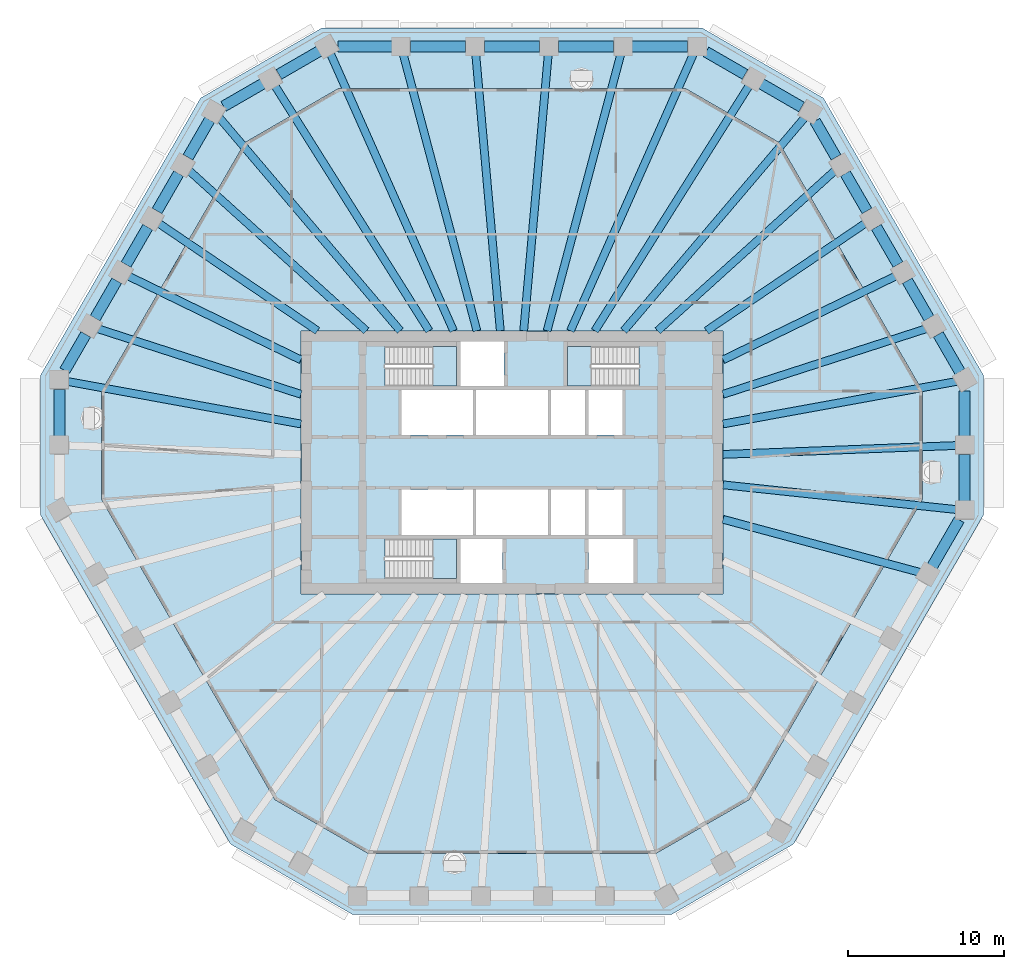
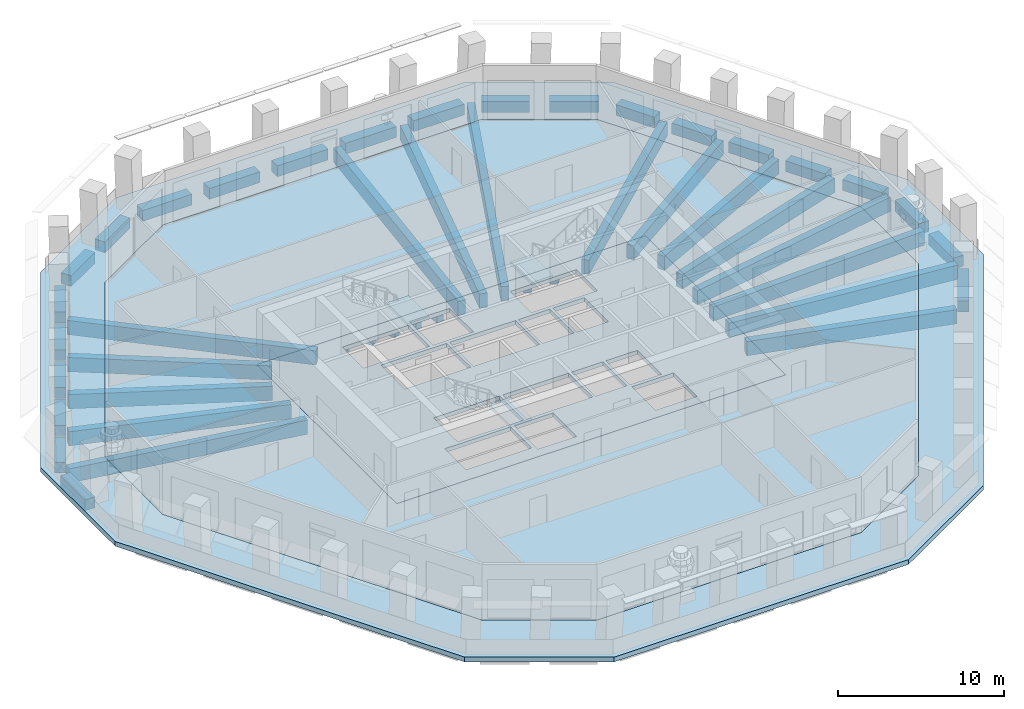
# One storey, part 2 of 12: 46 beams, 6 slabs, 3 elements without a shape of their own.
"""IFC4 building model written with IfcOpenShell, lengths in metres."""

from ifc_helpers import new_model, si_unit, direction, frame, origin, origin_2d, place, context, subcontext, project, spatial, polyline, rectangle, outline, extrude, material, layer, layer_set, material_profile, profile_set, type_object, element, aggregate, save


model = new_model("IFC4")

# Units and contexts
model_context = context("Model", 3, precision=1e-05, world=origin(), true_north=direction((0.0, 1.0)))
body_context = subcontext(model_context, "Body", "Model", "MODEL_VIEW")
ifc_project = project(units=[si_unit("LENGTHUNIT", "METRE"), si_unit("AREAUNIT", "SQUARE_METRE"), si_unit("VOLUMEUNIT", "CUBIC_METRE"), si_unit("PLANEANGLEUNIT", "RADIAN"), si_unit("MASSUNIT", "GRAM", prefix="KILO")], contexts=[model_context])

# Site, building, storey
site_placement = place(None, origin())
site = spatial("IfcSite", under=ifc_project, at=site_placement, CompositionType="ELEMENT")
building_placement = place(site_placement, origin())
building = spatial("IfcBuilding", under=site, at=building_placement, Name="Frailejon Research Tower", CompositionType="ELEMENT")
storey_placement = place(building_placement, frame((0.0, 0.0, 180.39990234375)))
storey = spatial("IfcBuildingStorey", under=building, at=storey_placement, Name="L39", CompositionType="ELEMENT", Elevation=180.39990234375)

# Beams
ifc_material_1 = material(Name="Concrete C60/75", Category="concrete")
ifc_material_profile_1 = material_profile(ifc_material_1, rectangle(XDim=0.5, YDim=1.050048828125, at=origin_2d()), Name="Girder 500x1050")
ifc_profile_set_1 = profile_set([ifc_material_profile_1], Name="Concrete C60/75")
beam_type_1 = type_object("IfcBeamType", Name="Girder 500x1050", PredefinedType="BEAM", material=ifc_profile_set_1)
beam_1_placement = place(storey_placement, frame((28.6005859375, -3.03369140625, -0.824951171875), z_axis=(-0.994421431124, 0.105479938004, 0.0), x_axis=(-0.105479938004, -0.994421431124, 0.0)))
element("IfcBeam", 1, at=beam_1_placement, inside=storey, type_object=beam_type_1, Name="Girder 500x1050", PredefinedType="BEAM", context=body_context, shape_type="SweptSolid", body=[
    extrude(rectangle(XDim=0.5, YDim=1.050048828125, at=origin_2d()), origin(), (0.0, 0.0, 1.0), 15.135009765625),
])
beam_2_placement = place(storey_placement, frame((28.601318359375, 1.089111328125, -0.824951171875), z_axis=(-0.999275517549, -0.038058376565, 0.0), x_axis=(0.038058376565, -0.999275517549, 0.0)))
element("IfcBeam", 2, at=beam_2_placement, inside=storey, type_object=beam_type_1, Name="Girder 500x1050", PredefinedType="BEAM", context=body_context, shape_type="SweptSolid", body=[
    extrude(rectangle(XDim=0.5, YDim=1.050048828125, at=origin_2d()), origin(), (0.0, 0.0, 1.0), 15.062255859375),
])
beam_3_placement = place(storey_placement, frame((28.572265625, 5.20654296875, -0.824951171875), z_axis=(-0.983797945667, -0.179280791223, 0.0), x_axis=(0.179280791223, -0.983797945667, 0.0)))
element("IfcBeam", 3, at=beam_3_placement, inside=storey, type_object=beam_type_1, Name="Girder 500x1050", PredefinedType="BEAM", context=body_context, shape_type="SweptSolid", body=[
    extrude(rectangle(XDim=0.5, YDim=1.050048828125, at=origin_2d()), origin(), (0.0, 0.0, 1.0), 15.26953125),
])
beam_4_placement = place(storey_placement, frame((26.6220703125, 8.594970703125, -0.824951171875), z_axis=(-0.951635554478, -0.307229183922, 0.0), x_axis=(0.307229183922, -0.951635554478, 0.0)))
element("IfcBeam", 4, at=beam_4_placement, inside=storey, type_object=beam_type_1, Name="Girder 500x1050", PredefinedType="BEAM", context=body_context, shape_type="SweptSolid", body=[
    extrude(rectangle(XDim=0.5, YDim=1.050048828125, at=origin_2d()), origin(), (0.0, 0.0, 1.0), 13.736328125),
])
beam_5_placement = place(storey_placement, frame((24.6689453125, 11.98388671875, -0.824951171875), z_axis=(-0.899483984712, -0.436953728954, 0.0), x_axis=(0.436953728954, -0.899483984712, 0.0)))
element("IfcBeam", 5, at=beam_5_placement, inside=storey, type_object=beam_type_1, Name="Girder 500x1050", PredefinedType="BEAM", context=body_context, shape_type="SweptSolid", body=[
    extrude(rectangle(XDim=0.5, YDim=1.050048828125, at=origin_2d()), origin(), (0.0, 0.0, 1.0), 12.361328125),
])
beam_6_placement = place(storey_placement, frame((22.712890625, 15.371826171875, -0.824951171875), z_axis=(-0.828161424278, -0.560489656763, 0.0), x_axis=(0.560489656763, -0.828161424278, 0.0)))
element("IfcBeam", 6, at=beam_6_placement, inside=storey, type_object=beam_type_1, Name="Girder 500x1050", PredefinedType="BEAM", context=body_context, shape_type="SweptSolid", body=[
    extrude(rectangle(XDim=0.5, YDim=1.050048828125, at=origin_2d()), origin(), (0.0, 0.0, 1.0), 12.349609375),
])
beam_7_placement = place(storey_placement, frame((20.75439453125, 18.7578125, -0.824951171875), z_axis=(-0.741883703794, -0.670528575114, 0.0), x_axis=(0.670528575114, -0.741883703794, 0.0)))
element("IfcBeam", 7, at=beam_7_placement, inside=storey, type_object=beam_type_1, Name="Girder 500x1050", PredefinedType="BEAM", context=body_context, shape_type="SweptSolid", body=[
    extrude(rectangle(XDim=0.5, YDim=1.050048828125, at=origin_2d()), origin(), (0.0, 0.0, 1.0), 15.372802734375),
])
beam_8_placement = place(storey_placement, frame((18.812744140625, 22.161865234375, -0.824951171875), z_axis=(-0.647148667235, -0.762363825543, 0.0), x_axis=(0.762363825543, -0.647148667235, 0.0)))
element("IfcBeam", 8, at=beam_8_placement, inside=storey, type_object=beam_type_1, Name="Girder 500x1050", PredefinedType="BEAM", context=body_context, shape_type="SweptSolid", body=[
    extrude(rectangle(XDim=0.5, YDim=1.050048828125, at=origin_2d()), origin(), (0.0, 0.0, 1.0), 17.986083984375),
])
beam_9_placement = place(storey_placement, frame((15.243896484375, 24.22509765625, -0.824951171875), z_axis=(-0.532592645489, -0.846371711467, 0.0), x_axis=(0.846371711467, -0.532592645489, 0.0)))
element("IfcBeam", 9, at=beam_9_placement, inside=storey, type_object=beam_type_1, Name="Girder 500x1050", PredefinedType="BEAM", context=body_context, shape_type="SweptSolid", body=[
    extrude(rectangle(XDim=0.5, YDim=1.050048828125, at=origin_2d()), origin(), (0.0, 0.0, 1.0), 18.638671875),
])
beam_10_placement = place(storey_placement, frame((11.651611328125, 26.237060546875, -0.824951171875), z_axis=(-0.405861436059, -0.913934622782, 0.0), x_axis=(0.913934622782, -0.405861436059, 0.0)))
element("IfcBeam", 10, at=beam_10_placement, inside=storey, type_object=beam_type_1, Name="Girder 500x1050", PredefinedType="BEAM", context=body_context, shape_type="SweptSolid", body=[
    extrude(rectangle(XDim=0.5, YDim=1.050048828125, at=origin_2d()), origin(), (0.0, 0.0, 1.0), 19.462158203125),
])
beam_11_placement = place(storey_placement, frame((6.992919921875, 26.244873046875, -0.824951171875), z_axis=(-0.257467088585, -0.966287068265, 0.0), x_axis=(0.966287068265, -0.257467088585, 0.0)))
element("IfcBeam", 11, at=beam_11_placement, inside=storey, type_object=beam_type_1, Name="Girder 500x1050", PredefinedType="BEAM", context=body_context, shape_type="SweptSolid", body=[
    extrude(rectangle(XDim=0.5, YDim=1.050048828125, at=origin_2d()), origin(), (0.0, 0.0, 1.0), 18.415771484375),
])
for number, where, z_axis, x_axis, name in (
    (12, (2.331298828125, 26.24951171875, -0.824951171875), (-0.088463579533, -0.996079412043, 0.0), (0.996079412043, -0.088463579533, 0.0), "Girder 500x1050"),
    (13, (-2.331298828125, 26.24951171875, -0.824951171875), (0.088463579533, -0.996079412043, 0.0), (0.996079412043, 0.088463579533, 0.0), "Girder 500x1050"),
):
    element("IfcBeam", number, at=place(storey_placement, frame(where, z_axis=z_axis, x_axis=x_axis)), inside=storey, type_object=beam_type_1, Name=name, PredefinedType="BEAM", context=body_context, shape_type="SweptSolid", body=[
        extrude(rectangle(XDim=0.5, YDim=1.050048828125, at=origin_2d()), origin(), (0.0, 0.0, 1.0), 17.86962890625),
    ])
beam_12_placement = place(storey_placement, frame((-6.992919921875, 26.244873046875, -0.824951171875), z_axis=(0.257467088585, -0.966287068265, 0.0), x_axis=(0.966287068265, 0.257467088585, 0.0)))
element("IfcBeam", 14, at=beam_12_placement, inside=storey, type_object=beam_type_1, Name="Girder 500x1050", PredefinedType="BEAM", context=body_context, shape_type="SweptSolid", body=[
    extrude(rectangle(XDim=0.5, YDim=1.050048828125, at=origin_2d()), origin(), (0.0, 0.0, 1.0), 18.415771484375),
])
beam_13_placement = place(storey_placement, frame((-11.673095703125, 26.28564453125, -0.824951171875), z_axis=(0.405857546601, -0.913936350008, 0.0), x_axis=(0.913936350008, 0.405857546601, 0.0)))
element("IfcBeam", 15, at=beam_13_placement, inside=storey, type_object=beam_type_1, Name="Girder 500x1050", PredefinedType="BEAM", context=body_context, shape_type="SweptSolid", body=[
    extrude(rectangle(XDim=0.5, YDim=1.050048828125, at=origin_2d()), origin(), (0.0, 0.0, 1.0), 19.51513671875),
])
beam_14_placement = place(storey_placement, frame((-15.243896484375, 24.22509765625, -0.824951171875), z_axis=(0.532592645489, -0.846371711467, 0.0), x_axis=(0.846371711467, 0.532592645489, 0.0)))
element("IfcBeam", 16, at=beam_14_placement, inside=storey, type_object=beam_type_1, Name="Girder 500x1050", PredefinedType="BEAM", context=body_context, shape_type="SweptSolid", body=[
    extrude(rectangle(XDim=0.5, YDim=1.050048828125, at=origin_2d()), origin(), (0.0, 0.0, 1.0), 18.638671875),
])
beam_15_placement = place(storey_placement, frame((-18.794921875, 22.14111328125, -0.824951171875), z_axis=(0.647141983231, -0.762369499351, 0.0), x_axis=(0.762369499351, 0.647141983231, 0.0)))
element("IfcBeam", 17, at=beam_15_placement, inside=storey, type_object=beam_type_1, Name="Girder 500x1050", PredefinedType="BEAM", context=body_context, shape_type="SweptSolid", body=[
    extrude(rectangle(XDim=0.5, YDim=1.050048828125, at=origin_2d()), origin(), (0.0, 0.0, 1.0), 17.958740234375),
])
beam_16_placement = place(storey_placement, frame((-20.75439453125, 18.7578125, -0.824951171875), z_axis=(0.741883703794, -0.670528575114, 0.0), x_axis=(0.670528575114, 0.741883703794, 0.0)))
element("IfcBeam", 18, at=beam_16_placement, inside=storey, type_object=beam_type_1, Name="Girder 500x1050", PredefinedType="BEAM", context=body_context, shape_type="SweptSolid", body=[
    extrude(rectangle(XDim=0.5, YDim=1.050048828125, at=origin_2d()), origin(), (0.0, 0.0, 1.0), 15.372802734375),
])
beam_17_placement = place(storey_placement, frame((-22.712890625, 15.371826171875, -0.824951171875), z_axis=(0.828161424278, -0.560489656763, 0.0), x_axis=(0.560489656763, 0.828161424278, 0.0)))
element("IfcBeam", 19, at=beam_17_placement, inside=storey, type_object=beam_type_1, Name="Girder 500x1050", PredefinedType="BEAM", context=body_context, shape_type="SweptSolid", body=[
    extrude(rectangle(XDim=0.5, YDim=1.050048828125, at=origin_2d()), origin(), (0.0, 0.0, 1.0), 12.349609375),
])
beam_18_placement = place(storey_placement, frame((-24.6689453125, 11.98388671875, -0.824951171875), z_axis=(0.899483984712, -0.436953728954, 0.0), x_axis=(0.436953728954, 0.899483984712, 0.0)))
element("IfcBeam", 20, at=beam_18_placement, inside=storey, type_object=beam_type_1, Name="Girder 500x1050", PredefinedType="BEAM", context=body_context, shape_type="SweptSolid", body=[
    extrude(rectangle(XDim=0.5, YDim=1.050048828125, at=origin_2d()), origin(), (0.0, 0.0, 1.0), 12.361328125),
])
beam_19_placement = place(storey_placement, frame((-26.6220703125, 8.594970703125, -0.824951171875), z_axis=(0.951635554478, -0.307229183922, 0.0), x_axis=(0.307229183922, 0.951635554478, 0.0)))
element("IfcBeam", 21, at=beam_19_placement, inside=storey, type_object=beam_type_1, Name="Girder 500x1050", PredefinedType="BEAM", context=body_context, shape_type="SweptSolid", body=[
    extrude(rectangle(XDim=0.5, YDim=1.050048828125, at=origin_2d()), origin(), (0.0, 0.0, 1.0), 13.736328125),
])
beam_20_placement = place(storey_placement, frame((-28.59912109375, 5.21142578125, -0.824951171875), z_axis=(0.983798074221, -0.179280085783, 0.0), x_axis=(0.179280085783, 0.983798074221, 0.0)))
element("IfcBeam", 22, at=beam_20_placement, inside=storey, type_object=beam_type_1, Name="Girder 500x1050", PredefinedType="BEAM", context=body_context, shape_type="SweptSolid", body=[
    extrude(rectangle(XDim=0.5, YDim=1.050048828125, at=origin_2d()), origin(), (0.0, 0.0, 1.0), 15.296875),
])
beam_21_placement = place(storey_placement, frame((26.225341796875, -7.06640625, -0.824951171875), z_axis=(-0.965559352483, 0.260182891121, 0.0), x_axis=(-0.260182891121, -0.965559352483, 0.0)))
element("IfcBeam", 23, at=beam_21_placement, inside=storey, type_object=beam_type_1, Name="Girder 500x1050", PredefinedType="BEAM", context=body_context, shape_type="SweptSolid", body=[
    extrude(rectangle(XDim=0.5, YDim=1.050048828125, at=origin_2d()), origin(), (0.0, 0.0, 1.0), 13.12744140625),
])
ifc_material_2 = material(Name="Concrete C60/75", Category="concrete")
ifc_material_profile_2 = material_profile(ifc_material_2, rectangle(XDim=0.699951171875, YDim=0.800048828125, at=origin_2d()), Name="Spandrel 700x800")
ifc_profile_set_2 = profile_set([ifc_material_profile_2], Name="Concrete C60/75")
beam_type_2 = type_object("IfcBeamType", Name="Spandrel 700x800", PredefinedType="BEAM", material=ifc_profile_set_2)
beam_22_placement = place(storey_placement, frame((29.051513671875, -2.4814453125, -0.75), z_axis=(0.0, 1.0, 0.0), x_axis=(-1.0, 0.0, 0.0)))
element("IfcBeam", 24, at=beam_22_placement, inside=storey, type_object=beam_type_2, Name="Spandrel 700x800", PredefinedType="BEAM", context=body_context, shape_type="SweptSolid", body=[
    extrude(rectangle(XDim=0.699951171875, YDim=0.800048828125, at=origin_2d()), origin(), (0.0, 0.0, 1.0), 2.987548828125),
])
beam_23_placement = place(storey_placement, frame((29.051513671875, 1.706298828125, -0.75), z_axis=(0.0, 1.0, 0.0), x_axis=(-1.0, 0.0, 0.0)))
element("IfcBeam", 25, at=beam_23_placement, inside=storey, type_object=beam_type_2, Name="Spandrel 700x800", PredefinedType="BEAM", context=body_context, shape_type="SweptSolid", body=[
    extrude(rectangle(XDim=0.699951171875, YDim=0.800048828125, at=origin_2d()), origin(), (0.0, 0.0, 1.0), 2.894775390625),
])
for number, where, z_axis, x_axis, name in (
    (26, (28.75146484375, 5.8134765625, -0.75), (-0.499978711542, 0.866037694333, 0.0), (-0.866037694333, -0.499978711542, 0.0), "Spandrel 700x800"),
    (27, (26.76318359375, 9.257080078125, -0.75), (-0.499978711542, 0.866037694333, 0.0), (-0.866037694333, -0.499978711542, 0.0), "Spandrel 700x800"),
):
    element("IfcBeam", number, at=place(storey_placement, frame(where, z_axis=z_axis, x_axis=x_axis)), inside=storey, type_object=beam_type_2, Name=name, PredefinedType="BEAM", context=body_context, shape_type="SweptSolid", body=[
        extrude(rectangle(XDim=0.699951171875, YDim=0.800048828125, at=origin_2d()), origin(), (0.0, 0.0, 1.0), 2.7763671875),
    ])
for number, where, z_axis, x_axis, name in (
    (28, (24.77490234375, 12.70068359375, -0.75), (-0.499940639567, 0.866059672834, 0.0), (-0.866059672834, -0.499940639567, 0.0), "Spandrel 700x800"),
    (29, (22.786865234375, 16.14453125, -0.75), (-0.500044657716, 0.865999619105, 0.0), (-0.865999619105, -0.500044657716, 0.0), "Spandrel 700x800"),
):
    element("IfcBeam", number, at=place(storey_placement, frame(where, z_axis=z_axis, x_axis=x_axis)), inside=storey, type_object=beam_type_2, Name=name, PredefinedType="BEAM", context=body_context, shape_type="SweptSolid", body=[
        extrude(rectangle(XDim=0.699951171875, YDim=0.800048828125, at=origin_2d()), origin(), (0.0, 0.0, 1.0), 2.776611328125),
    ])
beam_24_placement = place(storey_placement, frame((20.798583984375, 19.58837890625, -0.75), z_axis=(-0.500013836808, 0.866017414952, 0.0), x_axis=(-0.866017414952, -0.500013836808, 0.0)))
element("IfcBeam", 30, at=beam_24_placement, inside=storey, type_object=beam_type_2, Name="Spandrel 700x800", PredefinedType="BEAM", context=body_context, shape_type="SweptSolid", body=[
    extrude(rectangle(XDim=0.699951171875, YDim=0.800048828125, at=origin_2d()), origin(), (0.0, 0.0, 1.0), 2.68359375),
])
beam_25_placement = place(storey_placement, frame((18.5908203125, 22.8125, -0.75), z_axis=(-0.866052229876, 0.499953532967, 0.0), x_axis=(-0.499953532967, -0.866052229876, 0.0)))
element("IfcBeam", 31, at=beam_25_placement, inside=storey, type_object=beam_type_2, Name="Spandrel 700x800", PredefinedType="BEAM", context=body_context, shape_type="SweptSolid", body=[
    extrude(rectangle(XDim=0.699951171875, YDim=0.800048828125, at=origin_2d()), origin(), (0.0, 0.0, 1.0), 2.987548828125),
])
beam_26_placement = place(storey_placement, frame((14.964111328125, 24.90625, -0.75), z_axis=(-0.866033897268, 0.499985288567, 0.0), x_axis=(-0.499985288567, -0.866033897268, 0.0)))
element("IfcBeam", 32, at=beam_26_placement, inside=storey, type_object=beam_type_2, Name="Spandrel 700x800", PredefinedType="BEAM", context=body_context, shape_type="SweptSolid", body=[
    extrude(rectangle(XDim=0.699951171875, YDim=0.800048828125, at=origin_2d()), origin(), (0.0, 0.0, 1.0), 2.89453125),
])
beam_27_placement = place(storey_placement, frame((11.257080078125, 26.699951171875, -0.75), z_axis=(-1.0, 0.0, 0.0), x_axis=(0.0, -1.0, 0.0)))
element("IfcBeam", 33, at=beam_27_placement, inside=storey, type_object=beam_type_2, Name="Spandrel 700x800", PredefinedType="BEAM", context=body_context, shape_type="SweptSolid", body=[
    extrude(rectangle(XDim=0.699951171875, YDim=0.800048828125, at=origin_2d()), origin(), (0.0, 0.0, 1.0), 3.542724609375),
])
for number, where, z_axis, x_axis, name in (
    (34, (6.514404296875, 26.699951171875, -0.75), (-1.0, 0.0, 0.0), (0.0, -1.0, 0.0), "Spandrel 700x800"),
    (35, (1.771484375, 26.699951171875, -0.75), (-1.0, 0.0, 0.0), (0.0, -1.0, 0.0), "Spandrel 700x800"),
    (36, (-2.971435546875, 26.699951171875, -0.75), (-1.0, 0.0, 0.0), (0.0, -1.0, 0.0), "Spandrel 700x800"),
):
    element("IfcBeam", number, at=place(storey_placement, frame(where, z_axis=z_axis, x_axis=x_axis)), inside=storey, type_object=beam_type_2, Name=name, PredefinedType="BEAM", context=body_context, shape_type="SweptSolid", body=[
        extrude(rectangle(XDim=0.699951171875, YDim=0.800048828125, at=origin_2d()), origin(), (0.0, 0.0, 1.0), 3.54296875),
    ])
beam_28_placement = place(storey_placement, frame((-7.71435546875, 26.699951171875, -0.75), z_axis=(-1.0, 0.0, 0.0), x_axis=(0.0, -1.0, 0.0)))
element("IfcBeam", 37, at=beam_28_placement, inside=storey, type_object=beam_type_2, Name="Spandrel 700x800", PredefinedType="BEAM", context=body_context, shape_type="SweptSolid", body=[
    extrude(rectangle(XDim=0.699951171875, YDim=0.800048828125, at=origin_2d()), origin(), (0.0, 0.0, 1.0), 3.449951171875),
])
beam_29_placement = place(storey_placement, frame((-12.376708984375, 26.39990234375, -0.75), z_axis=(-0.866052229876, -0.499953532967, 0.0), x_axis=(0.499953532967, -0.866052229876, 0.0)))
element("IfcBeam", 38, at=beam_29_placement, inside=storey, type_object=beam_type_2, Name="Spandrel 700x800", PredefinedType="BEAM", context=body_context, shape_type="SweptSolid", body=[
    extrude(rectangle(XDim=0.699951171875, YDim=0.800048828125, at=origin_2d()), origin(), (0.0, 0.0, 1.0), 2.987548828125),
])
beam_30_placement = place(storey_placement, frame((-16.00341796875, 24.30615234375, -0.75), z_axis=(-0.866033897268, -0.499985288567, 0.0), x_axis=(0.499985288567, -0.866033897268, 0.0)))
element("IfcBeam", 39, at=beam_30_placement, inside=storey, type_object=beam_type_2, Name="Spandrel 700x800", PredefinedType="BEAM", context=body_context, shape_type="SweptSolid", body=[
    extrude(rectangle(XDim=0.699951171875, YDim=0.800048828125, at=origin_2d()), origin(), (0.0, 0.0, 1.0), 2.89453125),
])
beam_31_placement = place(storey_placement, frame((-19.410400390625, 21.992919921875, -0.75), z_axis=(-0.499978711542, -0.866037694333, 0.0), x_axis=(0.866037694333, -0.499978711542, 0.0)))
element("IfcBeam", 40, at=beam_31_placement, inside=storey, type_object=beam_type_2, Name="Spandrel 700x800", PredefinedType="BEAM", context=body_context, shape_type="SweptSolid", body=[
    extrude(rectangle(XDim=0.699951171875, YDim=0.800048828125, at=origin_2d()), origin(), (0.0, 0.0, 1.0), 2.7763671875),
])
for number, where, z_axis, x_axis, name in (
    (41, (-21.3984375, 18.549072265625, -0.75), (-0.500044657716, -0.865999619105, 0.0), (0.865999619105, -0.500044657716, 0.0), "Spandrel 700x800"),
    (42, (-23.38671875, 15.10546875, -0.75), (-0.499940639567, -0.866059672834, 0.0), (0.866059672834, -0.499940639567, 0.0), "Spandrel 700x800"),
):
    element("IfcBeam", number, at=place(storey_placement, frame(where, z_axis=z_axis, x_axis=x_axis)), inside=storey, type_object=beam_type_2, Name=name, PredefinedType="BEAM", context=body_context, shape_type="SweptSolid", body=[
        extrude(rectangle(XDim=0.699951171875, YDim=0.800048828125, at=origin_2d()), origin(), (0.0, 0.0, 1.0), 2.776611328125),
    ])
beam_32_placement = place(storey_placement, frame((-25.375, 11.66162109375, -0.75), z_axis=(-0.499978711542, -0.866037694333, 0.0), x_axis=(0.866037694333, -0.499978711542, 0.0)))
element("IfcBeam", 43, at=beam_32_placement, inside=storey, type_object=beam_type_2, Name="Spandrel 700x800", PredefinedType="BEAM", context=body_context, shape_type="SweptSolid", body=[
    extrude(rectangle(XDim=0.699951171875, YDim=0.800048828125, at=origin_2d()), origin(), (0.0, 0.0, 1.0), 2.7763671875),
])
beam_33_placement = place(storey_placement, frame((-27.36328125, 8.218017578125, -0.75), z_axis=(-0.499974444137, -0.866040157966, 0.0), x_axis=(0.866040157966, -0.499974444137, 0.0)))
element("IfcBeam", 44, at=beam_33_placement, inside=storey, type_object=beam_type_2, Name="Spandrel 700x800", PredefinedType="BEAM", context=body_context, shape_type="SweptSolid", body=[
    extrude(rectangle(XDim=0.699951171875, YDim=0.800048828125, at=origin_2d()), origin(), (0.0, 0.0, 1.0), 2.683837890625),
])
beam_34_placement = place(storey_placement, frame((-29.051513671875, 4.69384765625, -0.75), z_axis=(0.0, -1.0, 0.0), x_axis=(1.0, 0.0, 0.0)))
element("IfcBeam", 45, at=beam_34_placement, inside=storey, type_object=beam_type_2, Name="Spandrel 700x800", PredefinedType="BEAM", context=body_context, shape_type="SweptSolid", body=[
    extrude(rectangle(XDim=0.699951171875, YDim=0.800048828125, at=origin_2d()), origin(), (0.0, 0.0, 1.0), 2.987548828125),
])
beam_35_placement = place(storey_placement, frame((26.97998046875, -6.669189453125, -0.75), z_axis=(0.500020560727, 0.866013532718, 0.0), x_axis=(-0.866013532718, 0.500020560727, 0.0)))
element("IfcBeam", 46, at=beam_35_placement, inside=storey, type_object=beam_type_2, Name="Spandrel 700x800", PredefinedType="BEAM", context=body_context, shape_type="SweptSolid", body=[
    extrude(rectangle(XDim=0.699951171875, YDim=0.800048828125, at=origin_2d()), origin(), (0.0, 0.0, 1.0), 3.449951171875),
])

# Slabs
ifc_material_3 = material(Name="Concrete C60/75", Category="concrete")
ifc_layer_1 = layer(ifc_material_3, 0.300048828125)
ifc_layer_set_1 = layer_set([ifc_layer_1], Name="Core floor slab 300 C60/75")
slab_type_1 = type_object("IfcSlabType", Name="Core floor slab 300 C60/75", PredefinedType="FLOOR", material=ifc_layer_set_1)
slab_1_placement = place(storey_placement, frame((0.0, 0.0, -0.2998046875)))
element("IfcSlab", 47, at=slab_1_placement, inside=storey, type_object=slab_type_1, Name="Core floor slab", PredefinedType="FLOOR", context=body_context, shape_type="SweptSolid", body=[
    extrude(outline(polyline([(13.550048828125, -8.449951171875), (13.550048828125, 8.449951171875), (-13.550048828125, 8.449951171875), (-13.550048828125, -8.449951171875), (13.550048828125, -8.449951171875)]), holes=[polyline([(-2.5, 1.75), (-2.5, 4.64990234375), (-7.10009765625, 4.64990234375), (-7.10009765625, 1.75), (-2.5, 1.75)]), polyline([(2.300048828125, 1.75), (2.300048828125, 4.64990234375), (-2.300048828125, 4.64990234375), (-2.300048828125, 1.75), (2.300048828125, 1.75)]), polyline([(4.699951171875, 1.75), (4.699951171875, 4.64990234375), (2.5, 4.64990234375), (2.5, 1.75), (4.699951171875, 1.75)]), polyline([(7.10009765625, 1.75), (7.10009765625, 4.64990234375), (4.89990234375, 4.64990234375), (4.89990234375, 1.75), (7.10009765625, 1.75)]), polyline([(-2.5, -4.64990234375), (-2.5, -1.75), (-7.10009765625, -1.75), (-7.10009765625, -4.64990234375), (-2.5, -4.64990234375)]), polyline([(2.300048828125, -4.64990234375), (2.300048828125, -1.75), (-2.300048828125, -1.75), (-2.300048828125, -4.64990234375), (2.300048828125, -4.64990234375)]), polyline([(4.699951171875, -4.64990234375), (4.699951171875, -1.75), (2.5, -1.75), (2.5, -4.64990234375), (4.699951171875, -4.64990234375)]), polyline([(7.10009765625, -4.64990234375), (7.10009765625, -1.75), (4.89990234375, -1.75), (4.89990234375, -4.64990234375), (7.10009765625, -4.64990234375)]), polyline([(-8.14697265625, 4.89990234375), (-3.550048828125, 4.89990234375), (-3.550048828125, 7.449951171875), (-8.14697265625, 7.449951171875), (-8.14697265625, 4.89990234375)]), polyline([(-8.14697265625, -7.449951171875), (-3.550048828125, -7.449951171875), (-3.550048828125, -4.89990234375), (-8.14697265625, -4.89990234375), (-8.14697265625, -7.449951171875)]), polyline([(8.14697265625, 7.449951171875), (3.550048828125, 7.449951171875), (3.550048828125, 4.89990234375), (8.14697265625, 4.89990234375), (8.14697265625, 7.449951171875)]), polyline([(-0.60009765625, -7.75), (-0.60009765625, -4.89990234375), (-3.300048828125, -4.89990234375), (-3.300048828125, -7.75), (-0.60009765625, -7.75)]), polyline([(7.800048828125, -7.75), (7.800048828125, -4.89990234375), (4.89990234375, -4.89990234375), (4.89990234375, -7.75), (7.800048828125, -7.75)]), polyline([(-0.5, 4.89990234375), (-0.5, 7.75), (-3.300048828125, 7.75), (-3.300048828125, 4.89990234375), (-0.5, 4.89990234375)])]), origin(), (0.0, 0.0, 1.0), 0.2998046875),
])
ifc_material_4 = material(Name="Concrete C40/50", Category="concrete")
ifc_layer_2 = layer(ifc_material_4, 0.35009765625)
ifc_layer_set_2 = layer_set([ifc_layer_2], Name="Loggia slab 350")
slab_type_2 = type_object("IfcSlabType", Name="Loggia slab 350", PredefinedType="USERDEFINED", material=ifc_layer_set_2)
slab_2_placement = place(storey_placement, frame((0.0, 0.0, -0.349853515625)))
element("IfcSlab", 48, at=slab_2_placement, inside=storey, type_object=slab_type_2, Name="Loggia slab L39", ObjectType="LOGGIA", PredefinedType="USERDEFINED", context=body_context, shape_type="SweptSolid", body=[
    extrude(outline(polyline([(18.07275390625, -24.4970703125), (10.2626953125, -29.006103515625), (-10.2626953125, -29.006103515625), (-18.07275390625, -24.4970703125), (-30.25146484375, -3.40283203125), (-30.25146484375, 5.615234375), (-19.98876953125, 23.390869140625), (-12.1787109375, 27.89990234375), (12.1787109375, 27.89990234375), (19.98876953125, 23.390869140625), (30.25146484375, 5.615234375), (30.25146484375, -3.40283203125), (18.07275390625, -24.4970703125)]), holes=[polyline([(26.3515625, 4.5703125), (17.1337890625, 20.535888671875), (11.1337890625, 24.0), (-11.1337890625, 24.0), (-17.1337890625, 20.535888671875), (-26.3515625, 4.5703125), (-26.3515625, -2.35791015625), (-15.2177734375, -21.64208984375), (-9.2177734375, -25.106201171875), (9.2177734375, -25.106201171875), (15.2177734375, -21.64208984375), (26.3515625, -2.35791015625), (26.3515625, 4.5703125)])]), origin(), (0.0, 0.0, 1.0), 0.349853515625),
])
ifc_material_5 = material(Name="Concrete C40/50", Category="concrete")
ifc_layer_3 = layer(ifc_material_5, 0.300048828125)
ifc_layer_set_3 = layer_set([ifc_layer_3], Name="Slab typical 300")
slab_type_3 = type_object("IfcSlabType", Name="Slab typical 300", PredefinedType="FLOOR", material=ifc_layer_set_3)
slab_3_placement = place(storey_placement, frame((0.0, 0.0, -0.2998046875)))
element("IfcSlab", 49, at=slab_3_placement, inside=storey, type_object=slab_type_3, Name="Floor slab L39", PredefinedType="FLOOR", context=body_context, shape_type="SweptSolid", body=[
    extrude(outline(polyline([(26.3515625, -2.35791015625), (26.3515625, 4.5703125), (17.1337890625, 20.535888671875), (11.1337890625, 24.0), (-11.1337890625, 24.0), (-17.1337890625, 20.535888671875), (-26.3515625, 4.5703125), (-26.3515625, -2.35791015625), (-15.2177734375, -21.64208984375), (-9.2177734375, -25.106201171875), (9.2177734375, -25.106201171875), (15.2177734375, -21.64208984375), (26.3515625, -2.35791015625)]), holes=[polyline([(13.550048828125, -8.449951171875), (-13.550048828125, -8.449951171875), (-13.550048828125, 8.449951171875), (13.550048828125, 8.449951171875), (13.550048828125, -8.449951171875)])]), origin(), (0.0, 0.0, 1.0), 0.2998046875),
])

# Stair, slab
ifc_material_6 = material(Name="Concrete C50/60", Category="concrete")
stair_type = type_object("IfcStairType", Name="Exit stair 24 risers", PredefinedType="HALF_TURN_STAIR", material=ifc_material_6)
stair_1_placement = place(storey_placement, origin())
stair_1 = element("IfcStair", 50, at=stair_1_placement, inside=storey, type_object=stair_type, Name="L39 Exit stair ST1", PredefinedType="HALF_TURN_STAIR")
ifc_material_7 = material(Name="Concrete C50/60", Category="concrete")
ifc_layer_4 = layer(ifc_material_7, 0.199951171875)
ifc_layer_set_4 = layer_set([ifc_layer_4], Name="Stair landing slab 200")
slab_type_4 = type_object("IfcSlabType", Name="Stair landing slab 200", PredefinedType="LANDING", material=ifc_layer_set_4)
slab_4_placement = place(storey_placement, frame((0.0, 0.0, 2.0)))
slab_4 = element("IfcSlab", 51, at=slab_4_placement, type_object=slab_type_4, Name="ST1 landing 1", PredefinedType="LANDING", context=body_context, shape_type="SweptSolid", body=[
    extrude(outline(polyline([(-5.070068359375, 4.89990234375), (-3.550048828125, 4.89990234375), (-3.550048828125, 7.449951171875), (-5.070068359375, 7.449951171875), (-5.070068359375, 4.89990234375)])), origin(), (0.0, 0.0, 1.0), 0.2001953125),
])
aggregate(stair_1, [slab_4])

stair_2_placement = place(storey_placement, origin())
stair_2 = element("IfcStair", 52, at=stair_2_placement, inside=storey, type_object=stair_type, Name="L39 Exit stair ST2", PredefinedType="HALF_TURN_STAIR")
slab_5_placement = place(storey_placement, frame((0.0, 0.0, 2.0)))
slab_5 = element("IfcSlab", 53, at=slab_5_placement, type_object=slab_type_4, Name="ST2 landing 1", PredefinedType="LANDING", context=body_context, shape_type="SweptSolid", body=[
    extrude(outline(polyline([(-5.070068359375, -7.449951171875), (-3.550048828125, -7.449951171875), (-3.550048828125, -4.89990234375), (-5.070068359375, -4.89990234375), (-5.070068359375, -7.449951171875)])), origin(), (0.0, 0.0, 1.0), 0.2001953125),
])
aggregate(stair_2, [slab_5])

stair_3_placement = place(storey_placement, origin())
stair_3 = element("IfcStair", 54, at=stair_3_placement, inside=storey, type_object=stair_type, Name="L39 Exit stair ST3", PredefinedType="HALF_TURN_STAIR")
slab_6_placement = place(storey_placement, frame((0.0, 0.0, 2.0)))
slab_6 = element("IfcSlab", 55, at=slab_6_placement, type_object=slab_type_4, Name="ST3 landing 1", PredefinedType="LANDING", context=body_context, shape_type="SweptSolid", body=[
    extrude(outline(polyline([(5.070068359375, 7.449951171875), (3.550048828125, 7.449951171875), (3.550048828125, 4.89990234375), (5.070068359375, 4.89990234375), (5.070068359375, 7.449951171875)])), origin(), (0.0, 0.0, 1.0), 0.2001953125),
])
aggregate(stair_3, [slab_6])

save(model, "model.ifc")
